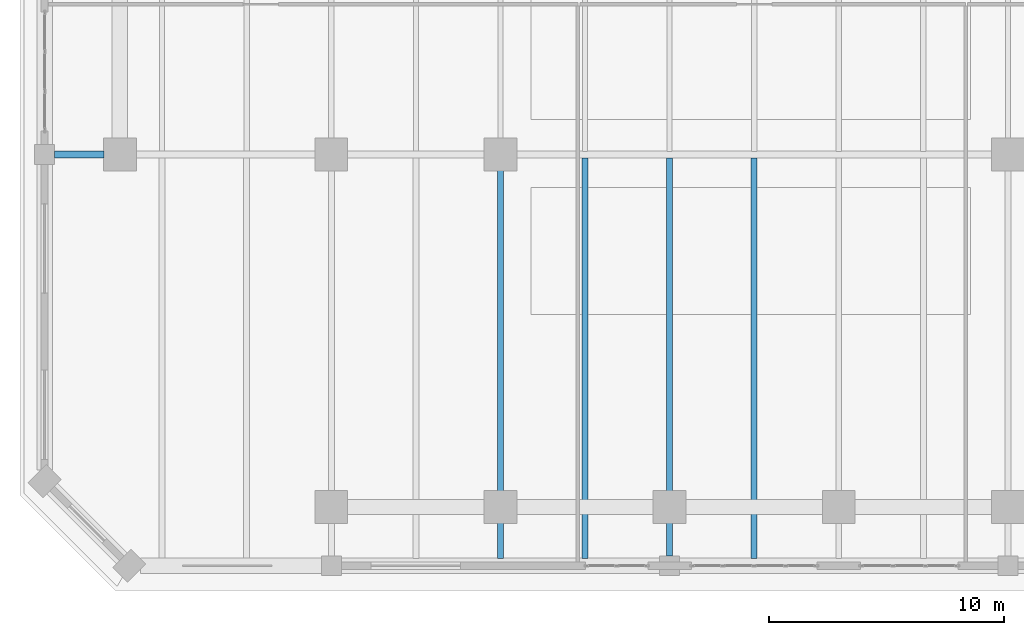
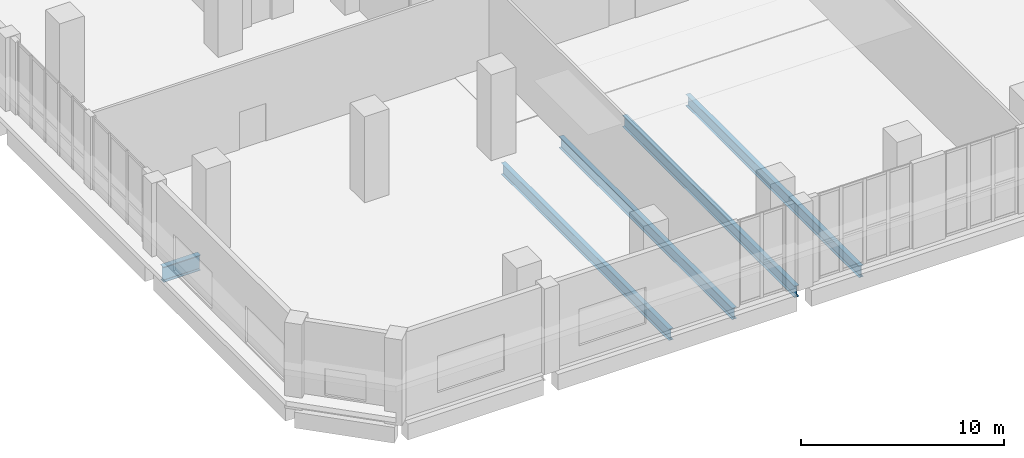
# One storey, part 3 of 25: 5 beams.
"""IFC4 building model written with IfcOpenShell, lengths in metres."""

from ifc_helpers import new_model, si_unit, direction, frame, origin, origin_2d, place, context, subcontext, project, spatial, i_section, extrude, material, material_profile, profile_set, type_object, element, save


model = new_model("IFC4")

# Units and contexts
model_context = context("Model", 3, precision=1e-05, world=origin(), true_north=direction((0.0, 1.0)))
body_context = subcontext(model_context, "Body", "Model", "MODEL_VIEW")
ifc_project = project(units=[si_unit("LENGTHUNIT", "METRE"), si_unit("AREAUNIT", "SQUARE_METRE"), si_unit("VOLUMEUNIT", "CUBIC_METRE"), si_unit("PLANEANGLEUNIT", "RADIAN"), si_unit("MASSUNIT", "GRAM", prefix="KILO")], contexts=[model_context])

# Site, building, storey
site_placement = place(None, origin())
site = spatial("IfcSite", under=ifc_project, at=site_placement, CompositionType="ELEMENT")
building_placement = place(site_placement, origin())
building = spatial("IfcBuilding", under=site, at=building_placement, Name="Kaelvorn Grand Hotel", CompositionType="ELEMENT")
storey_placement = place(building_placement, frame((0.0, 0.0, 26.0)))
storey = spatial("IfcBuildingStorey", under=building, at=storey_placement, Name="L04", CompositionType="ELEMENT", Elevation=26.0)

# Beams
ifc_material = material(Name="Steel S355", Category="steel")
ifc_material_profile_1 = material_profile(ifc_material, i_section(OverallWidth=0.305419921875, OverallDepth=0.91845703125, WebThickness=0.017333984375, FlangeThickness=0.02783203125, FilletRadius=0.01904296875, at=origin_2d()), Name="UB 914x305x253")
ifc_profile_set_1 = profile_set([ifc_material_profile_1], Name="Steel S355")
beam_type_1 = type_object("IfcBeamType", Name="BM-G-UB914-S355", PredefinedType="BEAM", material=ifc_profile_set_1)
beam_1_placement = place(storey_placement, frame((-2.7900390625, 15.0, -0.779296875), z_axis=(1.0, 0.0, 0.0), x_axis=(0.0, 1.0, 0.0)))
element("IfcBeam", 1, at=beam_1_placement, inside=storey, type_object=beam_type_1, Name="L04 Primary Spine Steel Girder G-15 01", PredefinedType="BEAM", context=body_context, shape_type="SweptSolid", body=[
    extrude(i_section(OverallWidth=0.305419921875, OverallDepth=0.91845703125, WebThickness=0.017333984375, FlangeThickness=0.02783203125, FilletRadius=0.01904296875, at=origin_2d()), origin(), (0.0, 0.0, 1.0), 2.10498046875),
])
ifc_material_profile_2 = material_profile(ifc_material, i_section(OverallWidth=0.25439453125, OverallDepth=0.6875, WebThickness=0.01318359375, FlangeThickness=0.02099609375, FilletRadius=0.01513671875, at=origin_2d()), Name="UB 686x254x152")
ifc_profile_set_2 = profile_set([ifc_material_profile_2], Name="Steel S355")
beam_type_2 = type_object("IfcBeamType", Name="BM-J-UB686-S355", PredefinedType="JOIST", material=ifc_profile_set_2)
beam_2_placement = place(storey_placement, frame((16.199951171875, -2.18994140625, -0.663818359375), z_axis=(0.0, 1.0, 0.0), x_axis=(-1.0, 0.0, 0.0)))
element("IfcBeam", 2, at=beam_2_placement, inside=storey, type_object=beam_type_2, Name="L04 Composite Floor Joist JS-05", PredefinedType="JOIST", context=body_context, shape_type="SweptSolid", body=[
    extrude(i_section(OverallWidth=0.25439453125, OverallDepth=0.6875, WebThickness=0.01318359375, FlangeThickness=0.02099609375, FilletRadius=0.01513671875, at=origin_2d()), origin(), (0.0, 0.0, 1.0), 16.5048828125),
])
beam_3_placement = place(storey_placement, frame((19.800048828125, -2.18994140625, -0.663818359375), z_axis=(0.0, 1.0, 0.0), x_axis=(-1.0, 0.0, 0.0)))
element("IfcBeam", 3, at=beam_3_placement, inside=storey, type_object=beam_type_2, Name="L04 Composite Floor Joist JS-06", PredefinedType="JOIST", context=body_context, shape_type="SweptSolid", body=[
    extrude(i_section(OverallWidth=0.25439453125, OverallDepth=0.6875, WebThickness=0.01318359375, FlangeThickness=0.02099609375, FilletRadius=0.01513671875, at=origin_2d()), origin(), (0.0, 0.0, 1.0), 17.05224609375),
])
beam_4_placement = place(storey_placement, frame((23.39990234375, -2.090087890625, -0.663818359375), z_axis=(0.0, 1.0, 0.0), x_axis=(-1.0, 0.0, 0.0)))
element("IfcBeam", 4, at=beam_4_placement, inside=storey, type_object=beam_type_2, Name="L04 Composite Floor Joist JS-07", PredefinedType="JOIST", context=body_context, shape_type="SweptSolid", body=[
    extrude(i_section(OverallWidth=0.25439453125, OverallDepth=0.6875, WebThickness=0.01318359375, FlangeThickness=0.02099609375, FilletRadius=0.01513671875, at=origin_2d()), origin(), (0.0, 0.0, 1.0), 16.952392578125),
])
beam_5_placement = place(storey_placement, frame((27.0, -2.18994140625, -0.663818359375), z_axis=(0.0, 1.0, 0.0), x_axis=(-1.0, 0.0, 0.0)))
element("IfcBeam", 5, at=beam_5_placement, inside=storey, type_object=beam_type_2, Name="L04 Composite Floor Joist JS-08", PredefinedType="JOIST", context=body_context, shape_type="SweptSolid", body=[
    extrude(i_section(OverallWidth=0.25439453125, OverallDepth=0.6875, WebThickness=0.01318359375, FlangeThickness=0.02099609375, FilletRadius=0.01513671875, at=origin_2d()), origin(), (0.0, 0.0, 1.0), 17.05224609375),
])

save(model, "model.ifc")
